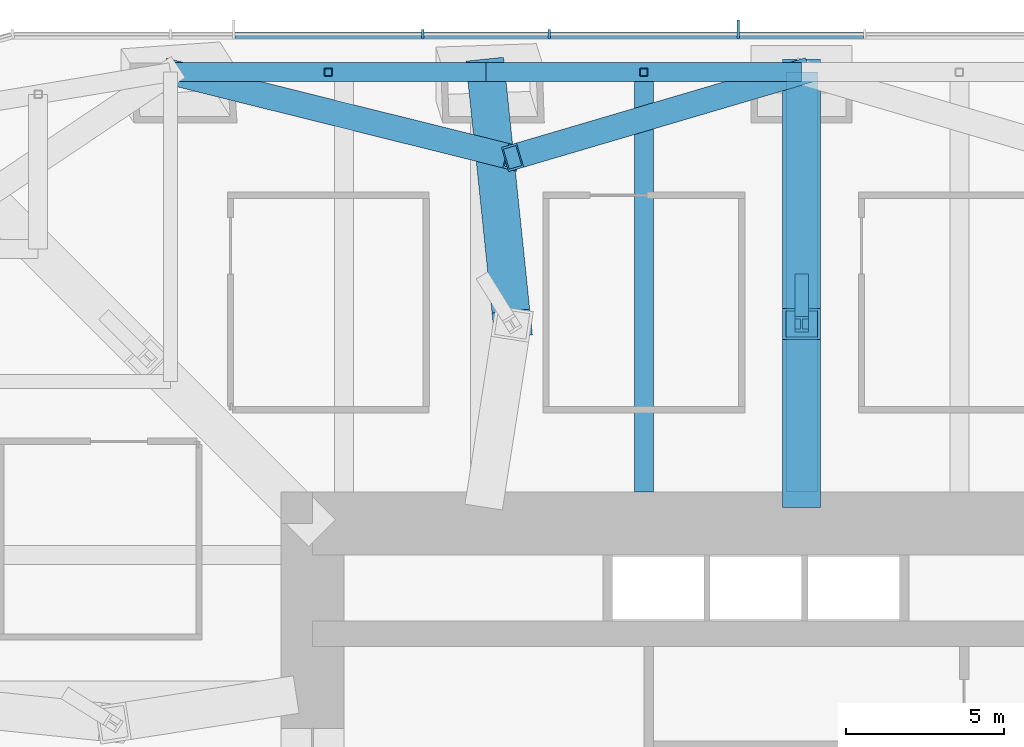
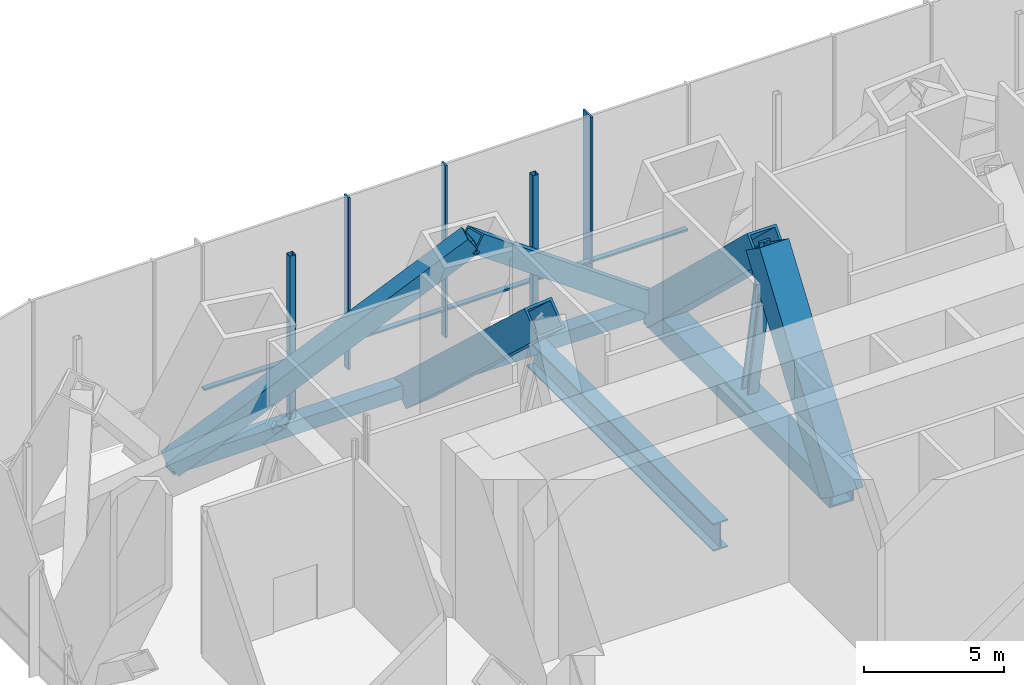
# One storey, part 7 of 20: 18 members, 1 beam, 1 element without a shape of its own.
"""IFC4 building model written with IfcOpenShell, lengths in metres."""

from ifc_helpers import new_model, si_unit, direction, frame, origin, origin_2d, place, context, subcontext, project, spatial, rectangle, hollow_rectangle, i_section, extrude, material, material_profile, profile_set, type_object, element, aggregate, save


model = new_model("IFC4")

# Units and contexts
model_context = context("Model", 3, precision=1e-05, world=origin(), true_north=direction((0.0, 1.0)))
body_context = subcontext(model_context, "Body", "Model", "MODEL_VIEW")
ifc_project = project(units=[si_unit("LENGTHUNIT", "METRE"), si_unit("AREAUNIT", "SQUARE_METRE"), si_unit("VOLUMEUNIT", "CUBIC_METRE"), si_unit("PLANEANGLEUNIT", "RADIAN"), si_unit("MASSUNIT", "GRAM", prefix="KILO")], contexts=[model_context])

# Site, building, storey
site_placement = place(None, origin())
site = spatial("IfcSite", under=ifc_project, at=site_placement, CompositionType="ELEMENT")
building_placement = place(site_placement, origin())
building = spatial("IfcBuilding", under=site, at=building_placement, Name="Khuree Lantern Residences", CompositionType="ELEMENT")
storey_placement = place(building_placement, frame((0.0, 0.0, 99.75)))
storey = spatial("IfcBuildingStorey", under=building, at=storey_placement, Name="L25", CompositionType="ELEMENT", Elevation=99.75)

# Beam
ifc_material_1 = material(Name="Steel S355", Category="steel")
ifc_material_profile_1 = material_profile(ifc_material_1, i_section(OverallWidth=0.60009765625, OverallDepth=1.199951171875, WebThickness=0.030029296875, FlangeThickness=0.06005859375, at=origin_2d()), Name="WELDED I 1200X600X30X60")
ifc_profile_set_1 = profile_set([ifc_material_profile_1], Name="Steel S355")
beam_type = type_object("IfcBeamType", Name="B-25 SECONDARY BEAM WELDED I 1200X600X30X60", PredefinedType="BEAM", material=ifc_profile_set_1)
beam_placement = place(storey_placement, frame((-5.0, 29.800048828125, -0.949951171875), z_axis=(0.0, -1.0, 0.0), x_axis=(1.0, 0.0, 0.0)))
element("IfcBeam", 1, at=beam_placement, inside=storey, type_object=beam_type, Name="Secondary beam N2", PredefinedType="BEAM", context=body_context, shape_type="SweptSolid", body=[
    extrude(i_section(OverallWidth=0.60009765625, OverallDepth=1.199951171875, WebThickness=0.030029296875, FlangeThickness=0.06005859375, at=origin_2d()), origin(), (0.0, 0.0, 1.0), 13.300048828125),
])

# Members
ifc_material_profile_2 = material_profile(ifc_material_1, hollow_rectangle(XDim=0.800048828125, YDim=0.800048828125, WallThickness=0.070068359375, at=origin_2d()), Name="WELDED BOX 800X800X70")
ifc_profile_set_2 = profile_set([ifc_material_profile_2], Name="Steel S355")
member_type_1 = type_object("IfcMemberType", Name="BD-25 BELT TRUSS DIAGONAL WELDED BOX 800X800X70", PredefinedType="BRACE", material=ifc_profile_set_2)
member_1_placement = place(storey_placement, frame((-20.0, 29.800048828125, -0.64990234375), z_axis=(0.802298387089, -0.199829234991, 0.562481621849), x_axis=(0.241687069936, 0.970354244709, 0.0)))
element("IfcMember", 2, at=member_1_placement, inside=storey, type_object=member_type_1, Name="Belt truss diagonal N1", PredefinedType="BRACE", context=body_context, shape_type="SweptSolid", body=[
    extrude(hollow_rectangle(XDim=0.800048828125, YDim=0.800048828125, WallThickness=0.070068359375, at=origin_2d()), origin(), (0.0, 0.0, 1.0), 13.51123046875),
])
member_2_placement = place(storey_placement, frame((-9.159912109375, 27.10009765625, 6.949951171875), z_axis=(0.750531400006, 0.22122462626, -0.622705614509), x_axis=(-0.282731000098, 0.959199239774, 0.0)))
element("IfcMember", 3, at=member_2_placement, inside=storey, type_object=member_type_1, Name="Belt truss diagonal N2", PredefinedType="BRACE", context=body_context, shape_type="SweptSolid", body=[
    extrude(hollow_rectangle(XDim=0.800048828125, YDim=0.800048828125, WallThickness=0.070068359375, at=origin_2d()), origin(), (0.0, 0.0, 1.0), 12.20458984375),
])
ifc_material_profile_3 = material_profile(ifc_material_1, hollow_rectangle(XDim=0.60009765625, YDim=0.60009765625, WallThickness=0.050048828125, at=origin_2d()), Name="WELDED BOX 600X600X50")
ifc_profile_set_3 = profile_set([ifc_material_profile_3], Name="Steel S355")
member_type_2 = type_object("IfcMemberType", Name="BT-25 BELT TRUSS CHORD WELDED BOX 600X600X50", PredefinedType="CHORD", material=ifc_profile_set_3)
for number, where, z_axis, x_axis, name in (
    (4, (-20.0, 29.800048828125, -0.64990234375), (1.0, 0.0, 0.0), (0.0, 1.0, 0.0), "Belt truss chord N1"),
    (5, (-10.0, 29.800048828125, -0.64990234375), (1.0, 0.0, 0.0), (0.0, 1.0, 0.0), "Belt truss chord N2"),
):
    element("IfcMember", number, at=place(storey_placement, frame(where, z_axis=z_axis, x_axis=x_axis)), inside=storey, type_object=member_type_2, Name=name, PredefinedType="CHORD", context=body_context, shape_type="SweptSolid", body=[
        extrude(hollow_rectangle(XDim=0.60009765625, YDim=0.60009765625, WallThickness=0.050048828125, at=origin_2d()), origin(), (0.0, 0.0, 1.0), 10.0),
    ])

# Curtain wall, members
ifc_material_2 = material(Name="Bronze anodised aluminium", Category="aluminium")
curtain_wall_type = type_object("IfcCurtainWallType", Name="CW-G PLANT STOREY LOUVRED CURTAIN WALL", PredefinedType="USERDEFINED", material=ifc_material_2)
curtain_wall_placement = place(storey_placement, origin())
curtain_wall = element("IfcCurtainWall", 6, at=curtain_wall_placement, inside=storey, type_object=curtain_wall_type, Name="L25 NORTH FACE CURTAIN WALL", ObjectType="Louvred curtain wall", PredefinedType="USERDEFINED")
ifc_material_profile_4 = material_profile(ifc_material_2, rectangle(XDim=0.080078125, YDim=0.60009765625, at=origin_2d()), Name="F2 80X600")
ifc_profile_set_4 = profile_set([ifc_material_profile_4], Name="Bronze anodised aluminium")
member_type_3 = type_object("IfcMemberType", Name="F2 BRONZE FIN MULLION PLANT 80X600", PredefinedType="MULLION", material=ifc_profile_set_4)
member_3_placement = place(storey_placement, frame((-2.0, 31.14990234375, 0.0), z_axis=(0.0, 0.0, 1.0), x_axis=(-1.0, 0.0, 0.0)))
member_3 = element("IfcMember", 7, at=member_3_placement, type_object=member_type_3, Name="L25 NORTH FACE FIN MULLION 24", PredefinedType="MULLION", context=body_context, shape_type="SweptSolid", body=[
    extrude(rectangle(XDim=0.080078125, YDim=0.60009765625, at=origin_2d()), origin(), (0.0, 0.0, 1.0), 7.5),
])
ifc_material_profile_5 = material_profile(ifc_material_2, rectangle(XDim=0.080078125, YDim=0.300048828125, at=origin_2d()), Name="M2 80X300")
ifc_profile_set_5 = profile_set([ifc_material_profile_5], Name="Bronze anodised aluminium")
member_type_4 = type_object("IfcMemberType", Name="MULLION M2 PLANT 80X300", PredefinedType="MULLION", material=ifc_profile_set_5)
member_4_placement = place(storey_placement, frame((-8.0, 31.0, 0.0), z_axis=(0.0, 0.0, 1.0), x_axis=(-1.0, 0.0, 0.0)))
member_4 = element("IfcMember", 8, at=member_4_placement, type_object=member_type_4, Name="L25 NORTH FACE MULLION 25", PredefinedType="MULLION", context=body_context, shape_type="SweptSolid", body=[
    extrude(rectangle(XDim=0.080078125, YDim=0.300048828125, at=origin_2d()), origin(), (0.0, 0.0, 1.0), 7.5),
])
member_5_placement = place(storey_placement, frame((-12.0, 31.0, 0.0), z_axis=(0.0, 0.0, 1.0), x_axis=(-1.0, 0.0, 0.0)))
member_5 = element("IfcMember", 9, at=member_5_placement, type_object=member_type_4, Name="L25 NORTH FACE MULLION 26", PredefinedType="MULLION", context=body_context, shape_type="SweptSolid", body=[
    extrude(rectangle(XDim=0.080078125, YDim=0.300048828125, at=origin_2d()), origin(), (0.0, 0.0, 1.0), 7.5),
])

# Members
ifc_material_profile_6 = material_profile(ifc_material_1, hollow_rectangle(XDim=1.199951171875, YDim=1.199951171875, WallThickness=0.10009765625, at=origin_2d()), Name="WELDED BOX 1200X1200X100")
ifc_profile_set_6 = profile_set([ifc_material_profile_6], Name="Steel S355")
member_type_5 = type_object("IfcMemberType", Name="OD-25 OUTRIGGER TRUSS DIAGONAL WELDED BOX 1200X1200X100", PredefinedType="BRACE", material=ifc_profile_set_6)
member_6_placement = place(storey_placement, frame((-9.171142578125, 21.81787109375, 6.75), z_axis=(-0.074990945606, 0.722188208122, -0.687619480619), x_axis=(-0.994651991951, -0.103283178244, 0.0)))
element("IfcMember", 10, at=member_6_placement, inside=storey, type_object=member_type_5, Name="Outrigger diagonal N2 column side", PredefinedType="BRACE", context=body_context, shape_type="SweptSolid", body=[
    extrude(hollow_rectangle(XDim=1.199951171875, YDim=1.199951171875, WallThickness=0.10009765625, at=origin_2d()), origin(), (0.0, 0.0, 1.0), 11.052734375),
])
member_7_placement = place(storey_placement, frame((0.0, 16.5, -0.85009765625), z_axis=(0.0, 0.573303353391, 0.819343191215), x_axis=(-1.0, 0.0, 0.0)))
element("IfcMember", 11, at=member_7_placement, inside=storey, type_object=member_type_5, Name="Outrigger diagonal N3 core side", PredefinedType="BRACE", context=body_context, shape_type="SweptSolid", body=[
    extrude(hollow_rectangle(XDim=1.199951171875, YDim=1.199951171875, WallThickness=0.10009765625, at=origin_2d()), origin(), (0.0, 0.0, 1.0), 9.27587890625),
])
member_8_placement = place(storey_placement, frame((0.0, 21.81787109375, 6.75), z_axis=(0.0, 0.724227477195, -0.689561136721), x_axis=(-1.0, 0.0, 0.0)))
element("IfcMember", 12, at=member_8_placement, inside=storey, type_object=member_type_5, Name="Outrigger diagonal N3 column side", PredefinedType="BRACE", context=body_context, shape_type="SweptSolid", body=[
    extrude(hollow_rectangle(XDim=1.199951171875, YDim=1.199951171875, WallThickness=0.10009765625, at=origin_2d()), origin(), (0.0, 0.0, 1.0), 11.021728515625),
])
ifc_material_profile_7 = material_profile(ifc_material_1, i_section(OverallWidth=0.431884765625, OverallDepth=0.498046875, WebThickness=0.0556640625, FlangeThickness=0.0888671875, FilletRadius=0.014892578125, at=origin_2d()), Name="HD 400X744")
ifc_profile_set_7 = profile_set([ifc_material_profile_7], Name="Steel S355")
member_type_6 = type_object("IfcMemberType", Name="OP-25 OUTRIGGER TRUSS POST HD 400X744", PredefinedType="POST", material=ifc_profile_set_7)
member_9_placement = place(storey_placement, frame((0.0, 23.14990234375, -0.85009765625), z_axis=(0.0, -0.172633608015, 0.984986110249), x_axis=(1.0, 0.0, 0.0)))
element("IfcMember", 13, at=member_9_placement, inside=storey, type_object=member_type_6, Name="Outrigger post N3", PredefinedType="POST", context=body_context, shape_type="SweptSolid", body=[
    extrude(i_section(OverallWidth=0.431884765625, OverallDepth=0.498046875, WebThickness=0.0556640625, FlangeThickness=0.0888671875, FilletRadius=0.014892578125, at=origin_2d()), origin(), (0.0, 0.0, 1.0), 7.716064453125),
])
ifc_material_profile_8 = material_profile(ifc_material_1, hollow_rectangle(XDim=1.0, YDim=1.0, WallThickness=0.080078125, at=origin_2d()), Name="WELDED BOX 1000X1000X80")
ifc_profile_set_8 = profile_set([ifc_material_profile_8], Name="Steel S355")
member_type_7 = type_object("IfcMemberType", Name="OT-25 OUTRIGGER TRUSS CHORD WELDED BOX 1000X1000X80", PredefinedType="CHORD", material=ifc_profile_set_8)
member_10_placement = place(storey_placement, frame((0.0, 29.800048828125, -0.85009765625), z_axis=(0.0, -1.0, 0.0), x_axis=(1.0, 0.0, 0.0)))
element("IfcMember", 14, at=member_10_placement, inside=storey, type_object=member_type_7, Name="Outrigger chord N3", PredefinedType="CHORD", context=body_context, shape_type="SweptSolid", body=[
    extrude(hollow_rectangle(XDim=1.0, YDim=1.0, WallThickness=0.080078125, at=origin_2d()), origin(), (0.0, 0.0, 1.0), 13.300048828125),
])
ifc_material_profile_9 = material_profile(ifc_material_1, hollow_rectangle(XDim=0.25, YDim=0.25, WallThickness=0.012451171875, InnerFilletRadius=0.012451171875, OuterFilletRadius=0.018798828125, at=origin_2d()), Name="SHS 250X250X12.5")
ifc_profile_set_9 = profile_set([ifc_material_profile_9], Name="Steel S355")
member_type_8 = type_object("IfcMemberType", Name="TP1 TERRACE POST SHS 250X250X12.5", PredefinedType="POST", material=ifc_profile_set_9)
for number, where, z_axis, x_axis, name in (
    (15, (-15.0, 29.800048828125, -0.35009765625), (0.0, 0.0, 1.0), (1.0, 0.0, 0.0), "Terrace post N1"),
    (16, (-5.0, 29.800048828125, -0.35009765625), (0.0, 0.0, 1.0), (1.0, 0.0, 0.0), "Terrace post N2"),
):
    element("IfcMember", number, at=place(storey_placement, frame(where, z_axis=z_axis, x_axis=x_axis)), inside=storey, type_object=member_type_8, Name=name, PredefinedType="POST", context=body_context, shape_type="SweptSolid", body=[
        extrude(hollow_rectangle(XDim=0.25, YDim=0.25, WallThickness=0.012451171875, InnerFilletRadius=0.012451171875, OuterFilletRadius=0.018798828125, at=origin_2d()), origin(), (0.0, 0.0, 1.0), 7.10009765625),
    ])

# Member
ifc_material_profile_10 = material_profile(ifc_material_2, rectangle(XDim=0.219970703125, YDim=0.080078125, at=origin_2d()), Name="T2 220X80")
ifc_profile_set_10 = profile_set([ifc_material_profile_10], Name="Bronze anodised aluminium")
member_type_9 = type_object("IfcMemberType", Name="TRANSOM T2 PLANT 220X80", PredefinedType="USERDEFINED", material=ifc_profile_set_10)
member_11_placement = place(storey_placement, frame((1.9599609375, 30.969970703125, 1.199951171875), z_axis=(-1.0, 0.0, 0.0), x_axis=(0.0, -1.0, 0.0)))
member_11 = element("IfcMember", 17, at=member_11_placement, type_object=member_type_9, Name="L25 NORTH FACE TRANSOM 23.1", ObjectType="Transom", PredefinedType="USERDEFINED", context=body_context, shape_type="SweptSolid", body=[
    extrude(rectangle(XDim=0.219970703125, YDim=0.080078125, at=origin_2d()), origin(), (0.0, 0.0, 1.0), 3.919921875),
])

member_12_placement = place(storey_placement, frame((-2.0400390625, 30.969970703125, 1.199951171875), z_axis=(-1.0, 0.0, 0.0), x_axis=(0.0, -1.0, 0.0)))
member_12 = element("IfcMember", 18, at=member_12_placement, type_object=member_type_9, Name="L25 NORTH FACE TRANSOM 24.1", ObjectType="Transom", PredefinedType="USERDEFINED", context=body_context, shape_type="SweptSolid", body=[
    extrude(rectangle(XDim=0.219970703125, YDim=0.080078125, at=origin_2d()), origin(), (0.0, 0.0, 1.0), 5.919921875),
])

member_13_placement = place(storey_placement, frame((-8.0400390625, 30.969970703125, 1.199951171875), z_axis=(-1.0, 0.0, 0.0), x_axis=(0.0, -1.0, 0.0)))
member_13 = element("IfcMember", 19, at=member_13_placement, type_object=member_type_9, Name="L25 NORTH FACE TRANSOM 25.1", ObjectType="Transom", PredefinedType="USERDEFINED", context=body_context, shape_type="SweptSolid", body=[
    extrude(rectangle(XDim=0.219970703125, YDim=0.080078125, at=origin_2d()), origin(), (0.0, 0.0, 1.0), 3.919921875),
])

member_14_placement = place(storey_placement, frame((-12.0400390625, 30.969970703125, 1.199951171875), z_axis=(-1.0, 0.0, 0.0), x_axis=(0.0, -1.0, 0.0)))
member_14 = element("IfcMember", 20, at=member_14_placement, type_object=member_type_9, Name="L25 NORTH FACE TRANSOM 26.1", ObjectType="Transom", PredefinedType="USERDEFINED", context=body_context, shape_type="SweptSolid", body=[
    extrude(rectangle(XDim=0.219970703125, YDim=0.080078125, at=origin_2d()), origin(), (0.0, 0.0, 1.0), 5.919921875),
])

aggregate(curtain_wall, [member_3, member_4, member_5, member_11, member_12, member_13, member_14])

save(model, "model.ifc")
